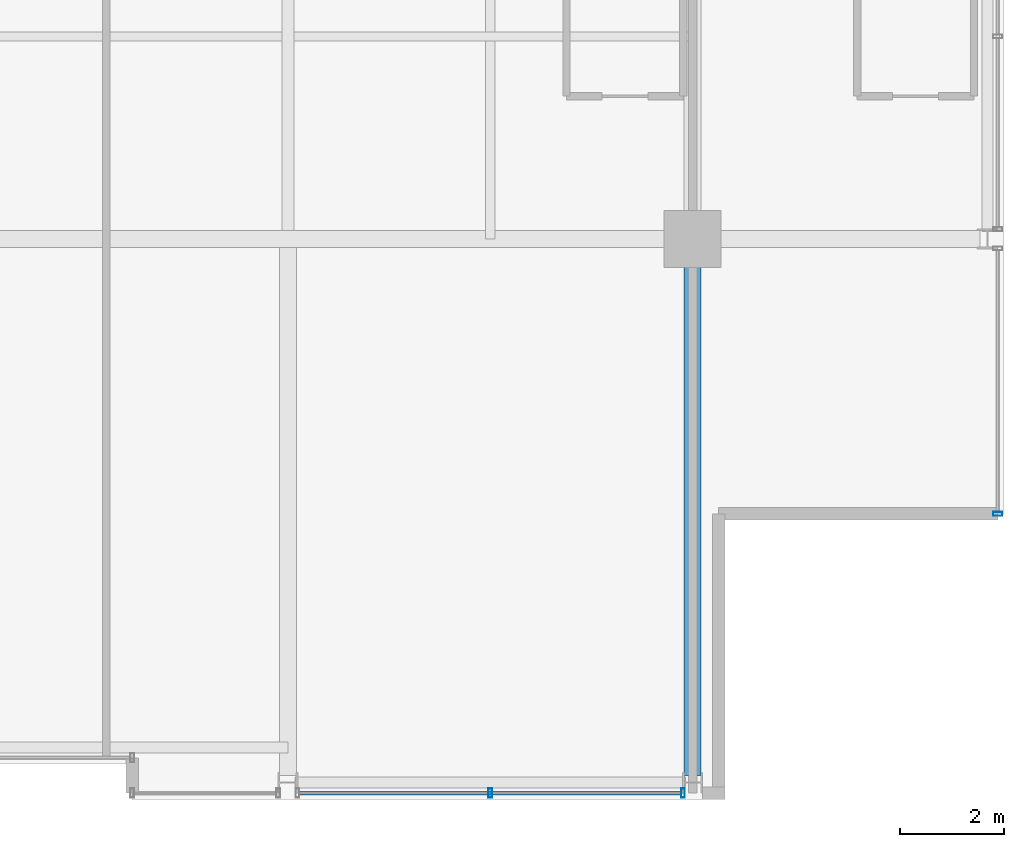
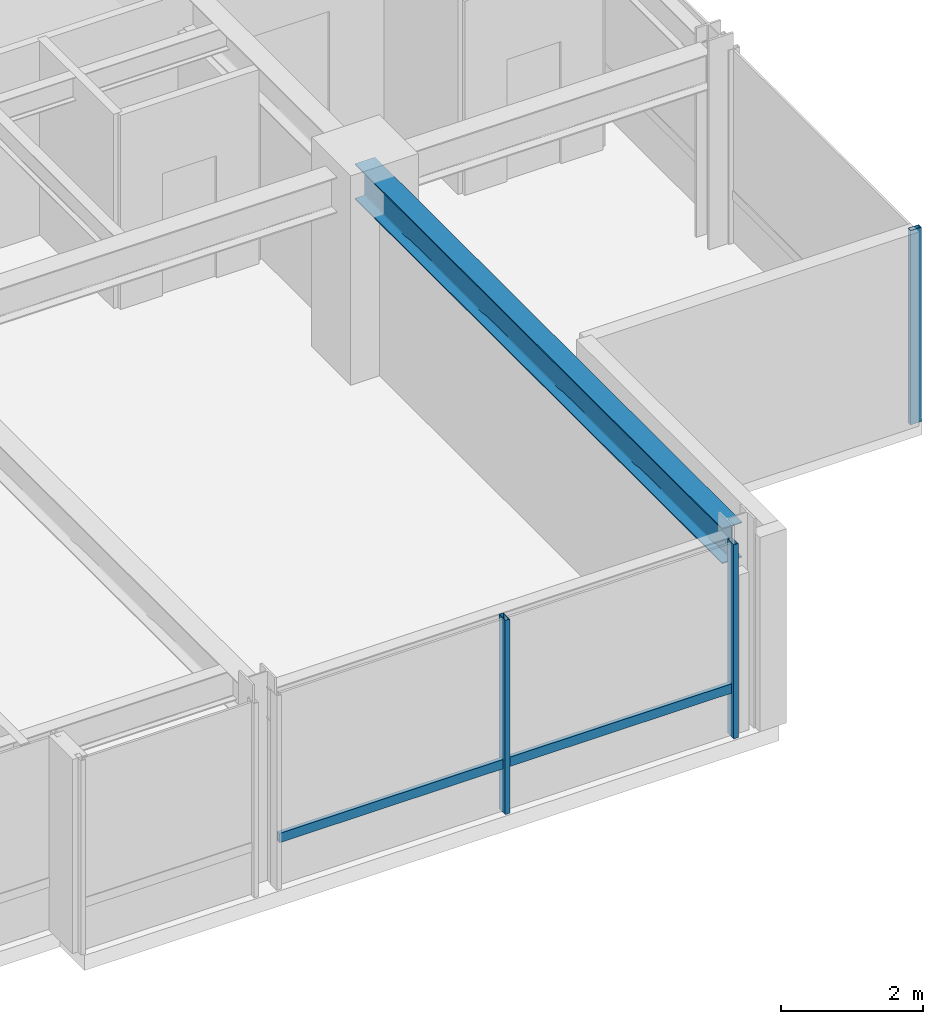
# One storey, part 13 of 32: 4 members, 1 beam, 2 elements without a shape of their own.
"""IFC4 building model written with IfcOpenShell, lengths in metres."""

from ifc_helpers import new_model, si_unit, direction, frame, origin, origin_2d, place, context, subcontext, project, spatial, hollow_rectangle, i_section, extrude, material, layer, layer_set, material_profile, profile_set, type_object, element, aggregate, save


model = new_model("IFC4")

# Units and contexts
model_context = context("Model", 3, precision=1e-05, world=origin(), true_north=direction((0.0, 1.0)))
body_context = subcontext(model_context, "Body", "Model", "MODEL_VIEW")
ifc_project = project(units=[si_unit("LENGTHUNIT", "METRE"), si_unit("AREAUNIT", "SQUARE_METRE"), si_unit("VOLUMEUNIT", "CUBIC_METRE"), si_unit("PLANEANGLEUNIT", "RADIAN"), si_unit("MASSUNIT", "GRAM", prefix="KILO")], contexts=[model_context])

# Site, building, storey
site_placement = place(None, origin())
site = spatial("IfcSite", under=ifc_project, at=site_placement, CompositionType="ELEMENT")
building_placement = place(site_placement, origin())
building = spatial("IfcBuilding", under=site, at=building_placement, Name="Drelvath Grand Hotel", CompositionType="ELEMENT")
storey_placement = place(building_placement, frame((0.0, 0.0, 223.10009765625)))
storey = spatial("IfcBuildingStorey", under=building, at=storey_placement, Name="L58", CompositionType="ELEMENT", Elevation=223.10009765625)

# Curtain wall, member
ifc_material_1 = material(Name="Platinum-Mist Anodised Aluminium Frame", Category="aluminium")
ifc_layer = layer(ifc_material_1, 0.199951171875)
ifc_layer_set = layer_set([ifc_layer], Name="Platinum-Mist Anodised Aluminium Frame")
curtain_wall_type = type_object("IfcCurtainWallType", Name="Stick Curtain Wall CW-05 Platinum Mist High-Rise", PredefinedType="NOTDEFINED", material=ifc_layer_set)
curtain_wall_1_placement = place(storey_placement, origin())
curtain_wall_1 = element("IfcCurtainWall", 1, at=curtain_wall_1_placement, inside=storey, type_object=curtain_wall_type, Name="L58 CW-05 Curtain Wall CW05-L58-SE2", PredefinedType="NOTDEFINED")
ifc_material_profile_1 = material_profile(ifc_material_1, hollow_rectangle(XDim=0.06494140625, YDim=0.159912109375, WallThickness=0.00390625, at=origin_2d()), Name="HSS160X65X4")
ifc_profile_set_1 = profile_set([ifc_material_profile_1], Name="Platinum-Mist Anodised Aluminium Frame")
member_type_1 = type_object("IfcMemberType", Name="Curtain Wall Horizontal Transom CW-05 HSS160X65X4", PredefinedType="USERDEFINED", material=ifc_profile_set_1)
member_1_placement = place(storey_placement, frame((15.974609375, 0.1201171875, 0.8349609375), z_axis=(-1.0, 0.0, 0.0), x_axis=(0.0, -1.0, 0.0)))
member_1 = element("IfcMember", 2, at=member_1_placement, type_object=member_type_1, Name="CW05-L58-SE2 Sill Transom", ObjectType="TRANSOM", PredefinedType="USERDEFINED", context=body_context, shape_type="SweptSolid", body=[
    extrude(hollow_rectangle(XDim=0.06494140625, YDim=0.159912109375, WallThickness=0.00390625, at=origin_2d()), origin(), (0.0, 0.0, 1.0), 7.349365234375),
])

curtain_wall_2_placement = place(storey_placement, origin())
curtain_wall_2 = element("IfcCurtainWall", 3, at=curtain_wall_2_placement, inside=storey, type_object=curtain_wall_type, Name="L58 CW-05 Curtain Wall CW05-L58-ES1", PredefinedType="NOTDEFINED")
ifc_material_profile_2 = material_profile(ifc_material_1, hollow_rectangle(XDim=0.074951171875, YDim=0.179931640625, WallThickness=0.0048828125, at=origin_2d()), Name="HSS180X75X5")
ifc_profile_set_2 = profile_set([ifc_material_profile_2], Name="Platinum-Mist Anodised Aluminium Frame")
member_type_2 = type_object("IfcMemberType", Name="Curtain Wall Vertical Mullion CW-05 HSS180X75X5", PredefinedType="MULLION", material=ifc_profile_set_2)
member_2_placement = place(storey_placement, frame((22.080078125, 5.5, 0.0), z_axis=(0.0, 0.0, 1.0), x_axis=(0.0, 1.0, 0.0)))
member_2 = element("IfcMember", 4, at=member_2_placement, type_object=member_type_2, Name="CW05-L58-ES1 Mullion 2", PredefinedType="MULLION", context=body_context, shape_type="SweptSolid", body=[
    extrude(hollow_rectangle(XDim=0.074951171875, YDim=0.179931640625, WallThickness=0.0048828125, at=origin_2d()), origin(), (0.0, 0.0, 1.0), 3.33984375),
])
aggregate(curtain_wall_2, [member_2])

# Member
member_3_placement = place(storey_placement, frame((16.0146484375, 0.1201171875, 0.0), z_axis=(0.0, 0.0, 1.0), x_axis=(1.0, 0.0, 0.0)))
member_3 = element("IfcMember", 5, at=member_3_placement, type_object=member_type_2, Name="CW05-L58-SE2 Mullion 1", PredefinedType="MULLION", context=body_context, shape_type="SweptSolid", body=[
    extrude(hollow_rectangle(XDim=0.074951171875, YDim=0.179931640625, WallThickness=0.0048828125, at=origin_2d()), origin(), (0.0, 0.0, 1.0), 3.33984375),
])

member_4_placement = place(storey_placement, frame((12.300048828125, 0.1201171875, 0.0), z_axis=(0.0, 0.0, 1.0), x_axis=(1.0, 0.0, 0.0)))
member_4 = element("IfcMember", 6, at=member_4_placement, type_object=member_type_2, Name="CW05-L58-SE2 Mullion 2", PredefinedType="MULLION", context=body_context, shape_type="SweptSolid", body=[
    extrude(hollow_rectangle(XDim=0.074951171875, YDim=0.179931640625, WallThickness=0.0048828125, at=origin_2d()), origin(), (0.0, 0.0, 1.0), 3.33984375),
])

aggregate(curtain_wall_1, [member_3, member_4, member_1])

# Beam
ifc_material_2 = material(Name="Steel ASTM A992 Gr 50", Category="steel")
ifc_material_profile_3 = material_profile(ifc_material_2, i_section(OverallWidth=0.323974609375, OverallDepth=0.611083984375, WebThickness=0.0126953125, FlangeThickness=0.01904296875, FilletRadius=0.02197265625, at=origin_2d()), Name="W24X104")
ifc_profile_set_3 = profile_set([ifc_material_profile_3], Name="Steel ASTM A992 Gr 50")
beam_type = type_object("IfcBeamType", Name="Primary Floor Girder W24X104", PredefinedType="BEAM", material=ifc_profile_set_3)
beam_placement = place(storey_placement, frame((16.199951171875, 0.4599609375, 3.034423828125), z_axis=(0.0, 1.0, 0.0), x_axis=(-1.0, 0.0, 0.0)))
element("IfcBeam", 7, at=beam_placement, inside=storey, type_object=beam_type, Name="L58 South Grid Girder 7", PredefinedType="BEAM", context=body_context, shape_type="SweptSolid", body=[
    extrude(i_section(OverallWidth=0.323974609375, OverallDepth=0.611083984375, WebThickness=0.0126953125, FlangeThickness=0.01904296875, FilletRadius=0.02197265625, at=origin_2d()), origin(), (0.0, 0.0, 1.0), 10.340087890625),
])

save(model, "model.ifc")
